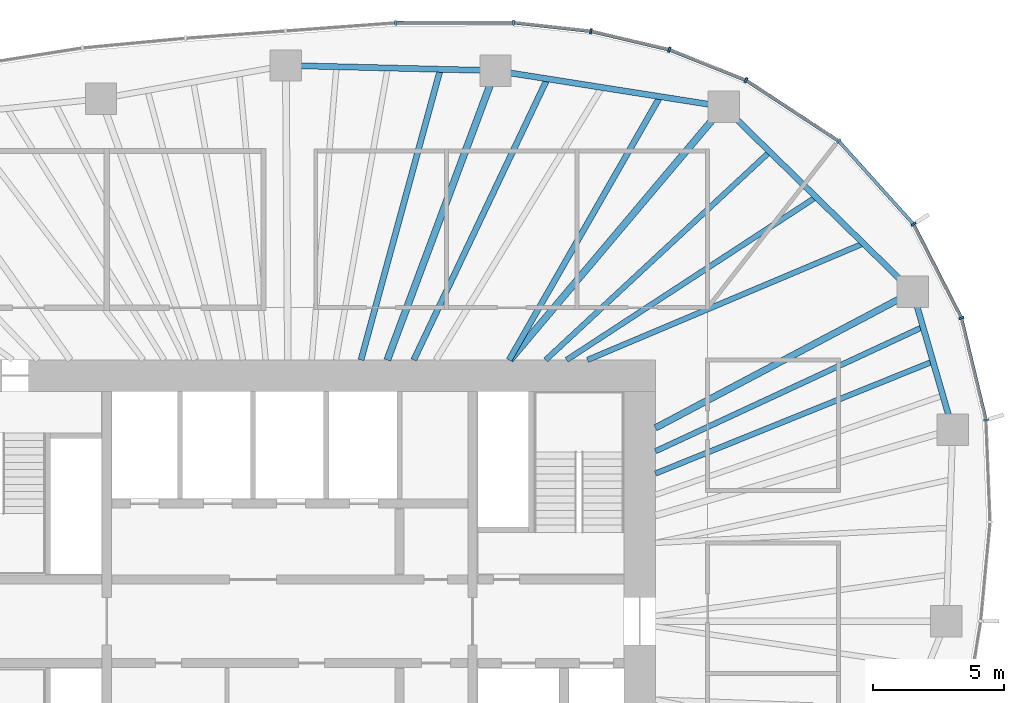
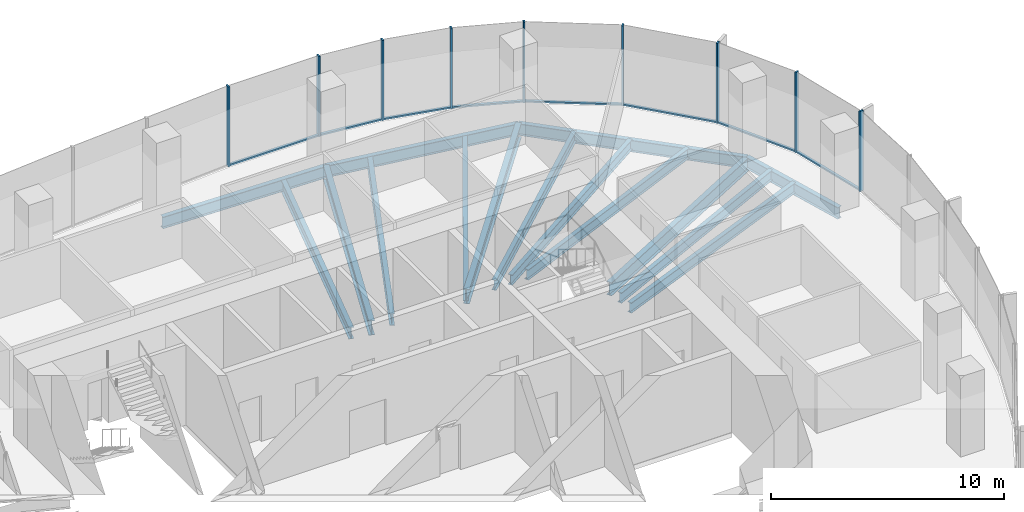
# One storey, part 6 of 11: 17 members, 15 beams, 4 elements without a shape of their own.
"""IFC4 building model written with IfcOpenShell, lengths in metres."""

from ifc_helpers import new_model, si_unit, direction, frame, origin, origin_2d, place, context, subcontext, project, spatial, rectangle, i_section, extrude, material, material_profile, profile_set, type_object, element, aggregate, save


model = new_model("IFC4")

# Units and contexts
model_context = context("Model", 3, precision=1e-05, world=origin(), true_north=direction((0.0, 1.0)))
body_context = subcontext(model_context, "Body", "Model", "MODEL_VIEW")
ifc_project = project(units=[si_unit("LENGTHUNIT", "METRE"), si_unit("AREAUNIT", "SQUARE_METRE"), si_unit("VOLUMEUNIT", "CUBIC_METRE"), si_unit("PLANEANGLEUNIT", "RADIAN"), si_unit("MASSUNIT", "GRAM", prefix="KILO")], contexts=[model_context])

# Site, building, storey
site_placement = place(None, origin())
site = spatial("IfcSite", under=ifc_project, at=site_placement, CompositionType="ELEMENT")
building_placement = place(site_placement, origin())
building = spatial("IfcBuilding", under=site, at=building_placement, Name="Ghaith Harvest Tower", CompositionType="ELEMENT")
storey_placement = place(building_placement, frame((0.0, 0.0, 241.0)))
storey = spatial("IfcBuildingStorey", under=building, at=storey_placement, Name="L53", CompositionType="ELEMENT", Elevation=241.0)

# Curtain wall, members
ifc_material_1 = material(Name="Black anodised aluminium and fritted glass", Category="aluminium")
curtain_wall_type = type_object("IfcCurtainWallType", Name="CW-H CURTAIN WALL", PredefinedType="NOTDEFINED", material=ifc_material_1)
curtain_wall_1_placement = place(storey_placement, origin())
curtain_wall_1 = element("IfcCurtainWall", 1, at=curtain_wall_1_placement, inside=storey, type_object=curtain_wall_type, Name="Curtain wall CW-H bay 02 L53", PredefinedType="NOTDEFINED")
ifc_material_2 = material(Name="Aluminium, black anodised", Category="aluminium")
ifc_material_profile_1 = material_profile(ifc_material_2, rectangle(XDim=0.080078125, YDim=0.199951171875, at=origin_2d()), Name="CW-H MULLION 80x200")
ifc_profile_set_1 = profile_set([ifc_material_profile_1], Name="Aluminium, black anodised")
member_type_1 = type_object("IfcMemberType", Name="CW-H MULLION 80x200", PredefinedType="MULLION", material=ifc_profile_set_1)
member_1_placement = place(storey_placement, frame((26.646484375, 7.701416015625, 0.0), z_axis=(0.0, 0.0, 1.0), x_axis=(-0.139146256981, 0.990271841046, 0.0)))
member_1 = element("IfcMember", 2, at=member_1_placement, type_object=member_type_1, Name="CW-H mullion 1 bay 02 L53", PredefinedType="MULLION", context=body_context, shape_type="SweptSolid", body=[
    extrude(rectangle(XDim=0.080078125, YDim=0.199951171875, at=origin_2d()), origin(), (0.0, 0.0, 1.0), 4.199951171875),
])
member_2_placement = place(storey_placement, frame((25.707275390625, 11.60546875, 0.0), z_axis=(0.0, 0.0, 1.0), x_axis=(-0.347012123561, 0.93786064322, 0.0)))
member_2 = element("IfcMember", 3, at=member_2_placement, type_object=member_type_1, Name="CW-H mullion 2 bay 02 L53", PredefinedType="MULLION", context=body_context, shape_type="SweptSolid", body=[
    extrude(rectangle(XDim=0.080078125, YDim=0.199951171875, at=origin_2d()), origin(), (0.0, 0.0, 1.0), 4.199951171875),
])

curtain_wall_2_placement = place(storey_placement, origin())
curtain_wall_2 = element("IfcCurtainWall", 4, at=curtain_wall_2_placement, inside=storey, type_object=curtain_wall_type, Name="Curtain wall CW-H bay 03 L53", PredefinedType="NOTDEFINED")
member_3_placement = place(storey_placement, frame((23.874267578125, 15.19384765625, 0.0), z_axis=(0.0, 0.0, 1.0), x_axis=(-0.569847382909, 0.821750546207, 0.0)))
member_3 = element("IfcMember", 5, at=member_3_placement, type_object=member_type_1, Name="CW-H mullion 1 bay 03 L53", PredefinedType="MULLION", context=body_context, shape_type="SweptSolid", body=[
    extrude(rectangle(XDim=0.080078125, YDim=0.199951171875, at=origin_2d()), origin(), (0.0, 0.0, 1.0), 4.199951171875),
])
member_4_placement = place(storey_placement, frame((21.013427734375, 18.374267578125, 0.0), z_axis=(0.0, 0.0, 1.0), x_axis=(-0.758541332755, 0.651624927778, 0.0)))
member_4 = element("IfcMember", 6, at=member_4_placement, type_object=member_type_1, Name="CW-H mullion 2 bay 03 L53", PredefinedType="MULLION", context=body_context, shape_type="SweptSolid", body=[
    extrude(rectangle(XDim=0.080078125, YDim=0.199951171875, at=origin_2d()), origin(), (0.0, 0.0, 1.0), 4.199951171875),
])

curtain_wall_3_placement = place(storey_placement, origin())
curtain_wall_3 = element("IfcCurtainWall", 7, at=curtain_wall_3_placement, inside=storey, type_object=curtain_wall_type, Name="Curtain wall CW-H bay 04 L53", PredefinedType="NOTDEFINED")
member_5_placement = place(storey_placement, frame((17.45947265625, 20.704345703125, 0.0), z_axis=(0.0, 0.0, 1.0), x_axis=(-0.880203412003, 0.474596621878, 0.0)))
member_5 = element("IfcMember", 8, at=member_5_placement, type_object=member_type_1, Name="CW-H mullion 1 bay 04 L53", PredefinedType="MULLION", context=body_context, shape_type="SweptSolid", body=[
    extrude(rectangle(XDim=0.080078125, YDim=0.199951171875, at=origin_2d()), origin(), (0.0, 0.0, 1.0), 4.199951171875),
])
member_6_placement = place(storey_placement, frame((14.52734375, 21.871337890625, 0.0), z_axis=(0.0, 0.0, 1.0), x_axis=(-0.953502908871, 0.30138381306, 0.0)))
member_6 = element("IfcMember", 9, at=member_6_placement, type_object=member_type_1, Name="CW-H mullion 2 bay 04 L53", PredefinedType="MULLION", context=body_context, shape_type="SweptSolid", body=[
    extrude(rectangle(XDim=0.080078125, YDim=0.199951171875, at=origin_2d()), origin(), (0.0, 0.0, 1.0), 4.199951171875),
])
member_7_placement = place(storey_placement, frame((11.527099609375, 22.579345703125, 0.0), z_axis=(0.0, 0.0, 1.0), x_axis=(-0.985193373388, 0.171446834417, 0.0)))
member_7 = element("IfcMember", 10, at=member_7_placement, type_object=member_type_1, Name="CW-H mullion 3 bay 04 L53", PredefinedType="MULLION", context=body_context, shape_type="SweptSolid", body=[
    extrude(rectangle(XDim=0.080078125, YDim=0.199951171875, at=origin_2d()), origin(), (0.0, 0.0, 1.0), 4.199951171875),
])

curtain_wall_4_placement = place(storey_placement, origin())
curtain_wall_4 = element("IfcCurtainWall", 11, at=curtain_wall_4_placement, inside=storey, type_object=curtain_wall_type, Name="Curtain wall CW-H bay 05 L53", PredefinedType="NOTDEFINED")
member_8_placement = place(storey_placement, frame((8.564208984375, 22.9091796875, 0.0), z_axis=(0.0, 0.0, 1.0), x_axis=(-0.999083519493, 0.042803283493, 0.0)))
member_8 = element("IfcMember", 12, at=member_8_placement, type_object=member_type_1, Name="CW-H mullion 1 bay 05 L53", PredefinedType="MULLION", context=body_context, shape_type="SweptSolid", body=[
    extrude(rectangle(XDim=0.080078125, YDim=0.199951171875, at=origin_2d()), origin(), (0.0, 0.0, 1.0), 4.199951171875),
])
member_9_placement = place(storey_placement, frame((4.0595703125, 22.8994140625, 0.0), z_axis=(0.0, 0.0, 1.0), x_axis=(-0.999332779724, -0.036523901335, 0.0)))
member_9 = element("IfcMember", 13, at=member_9_placement, type_object=member_type_1, Name="CW-H mullion 2 bay 05 L53", PredefinedType="MULLION", context=body_context, shape_type="SweptSolid", body=[
    extrude(rectangle(XDim=0.080078125, YDim=0.199951171875, at=origin_2d()), origin(), (0.0, 0.0, 1.0), 4.199951171875),
])

# Member
ifc_material_3 = material(Name="Aluminium, black anodised", Category="aluminium")
ifc_material_profile_2 = material_profile(ifc_material_3, rectangle(XDim=0.1298828125, YDim=0.080078125, at=origin_2d()), Name="CW-H TRANSOM 130x80")
ifc_profile_set_2 = profile_set([ifc_material_profile_2], Name="Aluminium, black anodised")
member_type_2 = type_object("IfcMemberType", Name="CW-H TRANSOM 130x80", PredefinedType="USERDEFINED", material=ifc_profile_set_2)
member_10_placement = place(storey_placement, frame((26.636962890625, 7.740234375, 0.0400390625), z_axis=(-0.233870324689, 0.972267798104, 0.0), x_axis=(-0.972267798104, -0.233870324689, 0.0)))
member_10 = element("IfcMember", 14, at=member_10_placement, type_object=member_type_2, Name="CW-H transom 1 bay 02 L53", ObjectType="TRANSOM", PredefinedType="USERDEFINED", context=body_context, shape_type="SweptSolid", body=[
    extrude(rectangle(XDim=0.1298828125, YDim=0.080078125, at=origin_2d()), origin(), (0.0, 0.0, 1.0), 3.935546875),
])

member_11_placement = place(storey_placement, frame((25.68896484375, 11.64111328125, 0.0400390625), z_axis=(-0.454911728312, 0.890536534592, 0.0), x_axis=(-0.890536534592, -0.454911728312, 0.0)))
member_11 = element("IfcMember", 15, at=member_11_placement, type_object=member_type_2, Name="CW-H transom 2 bay 02 L53", ObjectType="TRANSOM", PredefinedType="USERDEFINED", context=body_context, shape_type="SweptSolid", body=[
    extrude(rectangle(XDim=0.1298828125, YDim=0.080078125, at=origin_2d()), origin(), (0.0, 0.0, 1.0), 3.949462890625),
])

aggregate(curtain_wall_1, [member_1, member_10, member_2, member_11])

member_12_placement = place(storey_placement, frame((23.847412109375, 15.223388671875, 0.0400390625), z_axis=(-0.668752638518, 0.743484975286, 0.0), x_axis=(-0.743484975286, -0.668752638518, 0.0)))
member_12 = element("IfcMember", 16, at=member_12_placement, type_object=member_type_2, Name="CW-H transom 1 bay 03 L53", ObjectType="TRANSOM", PredefinedType="USERDEFINED", context=body_context, shape_type="SweptSolid", body=[
    extrude(rectangle(XDim=0.1298828125, YDim=0.080078125, at=origin_2d()), origin(), (0.0, 0.0, 1.0), 4.197998046875),
])

member_13_placement = place(storey_placement, frame((20.97998046875, 18.39599609375, 0.0400390625), z_axis=(-0.836268574396, 0.548320044753, 0.0), x_axis=(-0.548320044753, -0.836268574396, 0.0)))
member_13 = element("IfcMember", 17, at=member_13_placement, type_object=member_type_2, Name="CW-H transom 2 bay 03 L53", ObjectType="TRANSOM", PredefinedType="USERDEFINED", context=body_context, shape_type="SweptSolid", body=[
    extrude(rectangle(XDim=0.1298828125, YDim=0.080078125, at=origin_2d()), origin(), (0.0, 0.0, 1.0), 4.169677734375),
])

aggregate(curtain_wall_2, [member_3, member_12, member_4, member_13])

member_14_placement = place(storey_placement, frame((17.42236328125, 20.71923828125, 0.0400390625), z_axis=(-0.929115751434, 0.369789021521, 0.0), x_axis=(-0.369789021521, -0.929115751434, 0.0)))
member_14 = element("IfcMember", 18, at=member_14_placement, type_object=member_type_2, Name="CW-H transom 1 bay 04 L53", ObjectType="TRANSOM", PredefinedType="USERDEFINED", context=body_context, shape_type="SweptSolid", body=[
    extrude(rectangle(XDim=0.1298828125, YDim=0.080078125, at=origin_2d()), origin(), (0.0, 0.0, 1.0), 3.075927734375),
])

member_15_placement = place(storey_placement, frame((14.48828125, 21.880615234375, 0.0400390625), z_axis=(-0.97325803677, 0.229714592186, 0.0), x_axis=(-0.229714592186, -0.97325803677, 0.0)))
member_15 = element("IfcMember", 19, at=member_15_placement, type_object=member_type_2, Name="CW-H transom 2 bay 04 L53", ObjectType="TRANSOM", PredefinedType="USERDEFINED", context=body_context, shape_type="SweptSolid", body=[
    extrude(rectangle(XDim=0.1298828125, YDim=0.080078125, at=origin_2d()), origin(), (0.0, 0.0, 1.0), 3.00244140625),
])

member_16_placement = place(storey_placement, frame((11.4873046875, 22.583984375, 0.0400390625), z_axis=(-0.993867303252, 0.110579308762, 0.0), x_axis=(-0.110579308762, -0.993867303252, 0.0)))
member_16 = element("IfcMember", 20, at=member_16_placement, type_object=member_type_2, Name="CW-H transom 3 bay 04 L53", ObjectType="TRANSOM", PredefinedType="USERDEFINED", context=body_context, shape_type="SweptSolid", body=[
    extrude(rectangle(XDim=0.1298828125, YDim=0.080078125, at=origin_2d()), origin(), (0.0, 0.0, 1.0), 2.901123046875),
])

aggregate(curtain_wall_3, [member_5, member_14, member_6, member_15, member_7, member_16])

member_17_placement = place(storey_placement, frame((8.524169921875, 22.9091796875, 0.0400390625), z_axis=(-0.999997564275, -0.002207134722, 0.0), x_axis=(0.002207134722, -0.999997564275, 0.0)))
member_17 = element("IfcMember", 21, at=member_17_placement, type_object=member_type_2, Name="CW-H transom 1 bay 05 L53", ObjectType="TRANSOM", PredefinedType="USERDEFINED", context=body_context, shape_type="SweptSolid", body=[
    extrude(rectangle(XDim=0.1298828125, YDim=0.080078125, at=origin_2d()), origin(), (0.0, 0.0, 1.0), 4.424560546875),
])

aggregate(curtain_wall_4, [member_8, member_17, member_9])

# Beams
ifc_material_4 = material(Name="Steel ASTM A992 Grade 50", Category="steel")
ifc_material_profile_3 = material_profile(ifc_material_4, i_section(OverallWidth=0.22900390625, OverallDepth=0.612060546875, WebThickness=0.011962890625, FlangeThickness=0.01953125, at=origin_2d()), Name="W610X125")
ifc_profile_set_3 = profile_set([ifc_material_profile_3], Name="Steel ASTM A992 Grade 50")
beam_type_1 = type_object("IfcBeamType", Name="E610-125 W610X125", PredefinedType="SPANDREL", material=ifc_profile_set_3)
beam_1_placement = place(storey_placement, frame((25.3779296875, 7.3349609375, -0.47607421875), z_axis=(-0.278021352648, 0.960574894254, 0.0), x_axis=(-0.960574894254, -0.278021352648, 0.0)))
element("IfcBeam", 22, at=beam_1_placement, inside=storey, type_object=beam_type_1, Name="Edge beam E02 L53", PredefinedType="SPANDREL", context=body_context, shape_type="SweptSolid", body=[
    extrude(i_section(OverallWidth=0.22900390625, OverallDepth=0.612060546875, WebThickness=0.011962890625, FlangeThickness=0.01953125, at=origin_2d()), origin(), (0.0, 0.0, 1.0), 5.48828125),
])
beam_2_placement = place(storey_placement, frame((23.85205078125, 12.60693359375, -0.47607421875), z_axis=(-0.714761249388, 0.699368541166, 0.0), x_axis=(-0.699368541166, -0.714761249388, 0.0)))
element("IfcBeam", 23, at=beam_2_placement, inside=storey, type_object=beam_type_1, Name="Edge beam E03 L53", PredefinedType="SPANDREL", context=body_context, shape_type="SweptSolid", body=[
    extrude(i_section(OverallWidth=0.22900390625, OverallDepth=0.612060546875, WebThickness=0.011962890625, FlangeThickness=0.01953125, at=origin_2d()), origin(), (0.0, 0.0, 1.0), 10.135009765625),
])
beam_3_placement = place(storey_placement, frame((16.60791015625, 19.695068359375, -0.47607421875), z_axis=(-0.987788485872, 0.155800857439, 0.0), x_axis=(-0.155800857439, -0.987788485872, 0.0)))
element("IfcBeam", 24, at=beam_3_placement, inside=storey, type_object=beam_type_1, Name="Edge beam E04 L53", PredefinedType="SPANDREL", context=body_context, shape_type="SweptSolid", body=[
    extrude(i_section(OverallWidth=0.22900390625, OverallDepth=0.612060546875, WebThickness=0.011962890625, FlangeThickness=0.01953125, at=origin_2d()), origin(), (0.0, 0.0, 1.0), 8.837890625),
])
beam_4_placement = place(storey_placement, frame((7.8779296875, 21.072021484375, -0.47607421875), z_axis=(-0.999692679676, 0.024790042413, 0.0), x_axis=(-0.024790042413, -0.999692679676, 0.0)))
element("IfcBeam", 25, at=beam_4_placement, inside=storey, type_object=beam_type_1, Name="Edge beam E05 L53", PredefinedType="SPANDREL", context=body_context, shape_type="SweptSolid", body=[
    extrude(i_section(OverallWidth=0.22900390625, OverallDepth=0.612060546875, WebThickness=0.011962890625, FlangeThickness=0.01953125, at=origin_2d()), origin(), (0.0, 0.0, 1.0), 8.0263671875),
])
ifc_material_5 = material(Name="Steel ASTM A992 Grade 50", Category="steel")
ifc_material_profile_4 = material_profile(ifc_material_5, i_section(OverallWidth=0.256103515625, OverallDepth=0.693115234375, WebThickness=0.014404296875, FlangeThickness=0.023681640625, at=origin_2d()), Name="W690X170")
ifc_profile_set_4 = profile_set([ifc_material_profile_4], Name="Steel ASTM A992 Grade 50")
beam_type_2 = type_object("IfcBeamType", Name="G690-170 W690X170", PredefinedType="BEAM", material=ifc_profile_set_4)
beam_5_placement = place(storey_placement, frame((14.0, 7.39990234375, -0.5166015625), z_axis=(0.884112784119, 0.467273565438, 0.0), x_axis=(-0.467273565438, 0.884112784119, 0.0)))
element("IfcBeam", 26, at=beam_5_placement, inside=storey, type_object=beam_type_2, Name="Radial girder G03 L53", PredefinedType="BEAM", context=body_context, shape_type="SweptSolid", body=[
    extrude(i_section(OverallWidth=0.256103515625, OverallDepth=0.693115234375, WebThickness=0.014404296875, FlangeThickness=0.023681640625, at=origin_2d()), origin(), (0.0, 0.0, 1.0), 11.143310546875),
])
ifc_material_6 = material(Name="Steel ASTM A992 Grade 50", Category="steel")
ifc_material_profile_5 = material_profile(ifc_material_6, i_section(OverallWidth=0.26806640625, OverallDepth=0.77001953125, WebThickness=0.015625, FlangeThickness=0.025390625, at=origin_2d()), Name="W760X196")
ifc_profile_set_5 = profile_set([ifc_material_profile_5], Name="Steel ASTM A992 Grade 50")
beam_type_3 = type_object("IfcBeamType", Name="G760-196 W760X196", PredefinedType="BEAM", material=ifc_profile_set_5)
beam_6_placement = place(storey_placement, frame((8.4326171875, 10.0, -0.554931640625), z_axis=(0.644644245772, 0.764482698557, 0.0), x_axis=(-0.764482698557, 0.644644245772, 0.0)))
element("IfcBeam", 27, at=beam_6_placement, inside=storey, type_object=beam_type_3, Name="Radial girder G04 L53", PredefinedType="BEAM", context=body_context, shape_type="SweptSolid", body=[
    extrude(i_section(OverallWidth=0.26806640625, OverallDepth=0.77001953125, WebThickness=0.015625, FlangeThickness=0.025390625, at=origin_2d()), origin(), (0.0, 0.0, 1.0), 12.681884765625),
])
beam_7_placement = place(storey_placement, frame((3.73828125, 10.0, -0.554931640625), z_axis=(0.350206582147, 0.936672488024, 0.0), x_axis=(-0.936672488024, 0.350206582147, 0.0)))
element("IfcBeam", 28, at=beam_7_placement, inside=storey, type_object=beam_type_3, Name="Radial girder G05 L53", PredefinedType="BEAM", context=body_context, shape_type="SweptSolid", body=[
    extrude(i_section(OverallWidth=0.26806640625, OverallDepth=0.77001953125, WebThickness=0.015625, FlangeThickness=0.025390625, at=origin_2d()), origin(), (0.0, 0.0, 1.0), 11.820556640625),
])
ifc_material_7 = material(Name="Steel ASTM A992 Grade 50", Category="steel")
ifc_material_profile_6 = material_profile(ifc_material_7, i_section(OverallWidth=0.2109375, OverallDepth=0.5390625, WebThickness=0.01171875, FlangeThickness=0.018798828125, at=origin_2d()), Name="W530X109")
ifc_profile_set_6 = profile_set([ifc_material_profile_6], Name="Steel ASTM A992 Grade 50")
beam_type_4 = type_object("IfcBeamType", Name="J530-109 W530X109", PredefinedType="JOIST", material=ifc_profile_set_6)
beam_8_placement = place(storey_placement, frame((14.0, 5.653564453125, -0.439453125), z_axis=(0.927250374508, 0.37444190868, 0.0), x_axis=(-0.37444190868, 0.927250374508, 0.0)))
element("IfcBeam", 29, at=beam_8_placement, inside=storey, type_object=beam_type_4, Name="Joist J02.2 L53", PredefinedType="JOIST", context=body_context, shape_type="SweptSolid", body=[
    extrude(i_section(OverallWidth=0.2109375, OverallDepth=0.5390625, WebThickness=0.01171875, FlangeThickness=0.018798828125, at=origin_2d()), origin(), (0.0, 0.0, 1.0), 11.45654296875),
])
beam_9_placement = place(storey_placement, frame((14.0, 6.506103515625, -0.439453125), z_axis=(0.906864105655, 0.421423176718, 0.0), x_axis=(-0.421423176718, 0.906864105655, 0.0)))
element("IfcBeam", 30, at=beam_9_placement, inside=storey, type_object=beam_type_4, Name="Joist J02.3 L53", PredefinedType="JOIST", context=body_context, shape_type="SweptSolid", body=[
    extrude(i_section(OverallWidth=0.2109375, OverallDepth=0.5390625, WebThickness=0.01171875, FlangeThickness=0.018798828125, at=origin_2d()), origin(), (0.0, 0.0, 1.0), 11.292236328125),
])
beam_10_placement = place(storey_placement, frame((11.39990234375, 10.0, -0.439453125), z_axis=(0.92127415213, 0.388913790727, 0.0), x_axis=(-0.388913790727, 0.92127415213, 0.0)))
element("IfcBeam", 31, at=beam_10_placement, inside=storey, type_object=beam_type_4, Name="Joist J03.1 L53", PredefinedType="JOIST", context=body_context, shape_type="SweptSolid", body=[
    extrude(i_section(OverallWidth=0.2109375, OverallDepth=0.5390625, WebThickness=0.01171875, FlangeThickness=0.018798828125, at=origin_2d()), origin(), (0.0, 0.0, 1.0), 11.462646484375),
])
beam_11_placement = place(storey_placement, frame((10.60009765625, 10.0, -0.439453125), z_axis=(0.837329320942, 0.546698827775, 0.0), x_axis=(-0.546698827775, 0.837329320942, 0.0)))
element("IfcBeam", 32, at=beam_11_placement, inside=storey, type_object=beam_type_4, Name="Joist J03.2 L53", PredefinedType="JOIST", context=body_context, shape_type="SweptSolid", body=[
    extrude(i_section(OverallWidth=0.2109375, OverallDepth=0.5390625, WebThickness=0.01171875, FlangeThickness=0.018798828125, at=origin_2d()), origin(), (0.0, 0.0, 1.0), 11.40087890625),
])
beam_12_placement = place(storey_placement, frame((9.800048828125, 10.0, -0.439453125), z_axis=(0.732519288302, 0.680746275984, 0.0), x_axis=(-0.680746275984, 0.732519288302, 0.0)))
element("IfcBeam", 33, at=beam_12_placement, inside=storey, type_object=beam_type_4, Name="Joist J03.3 L53", PredefinedType="JOIST", context=body_context, shape_type="SweptSolid", body=[
    extrude(i_section(OverallWidth=0.2109375, OverallDepth=0.5390625, WebThickness=0.01171875, FlangeThickness=0.018798828125, at=origin_2d()), origin(), (0.0, 0.0, 1.0), 11.7041015625),
])
ifc_material_8 = material(Name="Steel ASTM A992 Grade 50", Category="steel")
ifc_material_profile_7 = material_profile(ifc_material_8, i_section(OverallWidth=0.22900390625, OverallDepth=0.612060546875, WebThickness=0.011962890625, FlangeThickness=0.01953125, at=origin_2d()), Name="W610X125")
ifc_profile_set_7 = profile_set([ifc_material_profile_7], Name="Steel ASTM A992 Grade 50")
beam_type_5 = type_object("IfcBeamType", Name="J610-125 W610X125", PredefinedType="JOIST", material=ifc_profile_set_7)
beam_13_placement = place(storey_placement, frame((8.39990234375, 10.0, -0.47607421875), z_axis=(0.497444212127, 0.867495968764, 0.0), x_axis=(-0.867495968764, 0.497444212127, 0.0)))
element("IfcBeam", 34, at=beam_13_placement, inside=storey, type_object=beam_type_5, Name="Joist J04.1 L53", PredefinedType="JOIST", context=body_context, shape_type="SweptSolid", body=[
    extrude(i_section(OverallWidth=0.22900390625, OverallDepth=0.612060546875, WebThickness=0.011962890625, FlangeThickness=0.01953125, at=origin_2d()), origin(), (0.0, 0.0, 1.0), 11.617431640625),
])
beam_14_placement = place(storey_placement, frame((4.75, 10.0, -0.47607421875), z_axis=(0.429069356877, 0.903271546651, 0.0), x_axis=(-0.903271546651, 0.429069356877, 0.0)))
element("IfcBeam", 35, at=beam_14_placement, inside=storey, type_object=beam_type_5, Name="Joist J04.3 L53", PredefinedType="JOIST", context=body_context, shape_type="SweptSolid", body=[
    extrude(i_section(OverallWidth=0.22900390625, OverallDepth=0.612060546875, WebThickness=0.011962890625, FlangeThickness=0.01953125, at=origin_2d()), origin(), (0.0, 0.0, 1.0), 11.911376953125),
])
beam_15_placement = place(storey_placement, frame((2.73095703125, 10.0, -0.47607421875), z_axis=(0.263455967932, 0.964671422279, 0.0), x_axis=(-0.964671422279, 0.263455967932, 0.0)))
element("IfcBeam", 36, at=beam_15_placement, inside=storey, type_object=beam_type_5, Name="Joist J05.1 L53", PredefinedType="JOIST", context=body_context, shape_type="SweptSolid", body=[
    extrude(i_section(OverallWidth=0.22900390625, OverallDepth=0.612060546875, WebThickness=0.011962890625, FlangeThickness=0.01953125, at=origin_2d()), origin(), (0.0, 0.0, 1.0), 11.53173828125),
])

save(model, "model.ifc")
